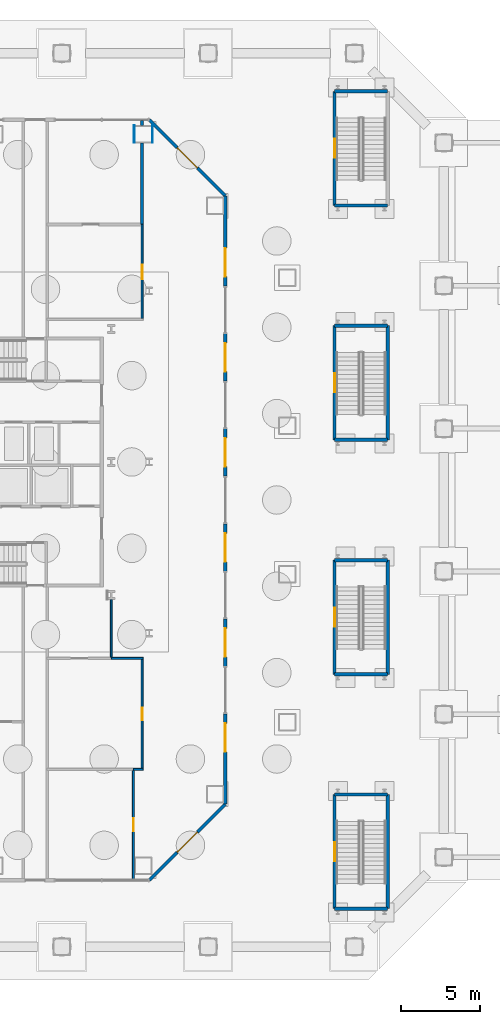
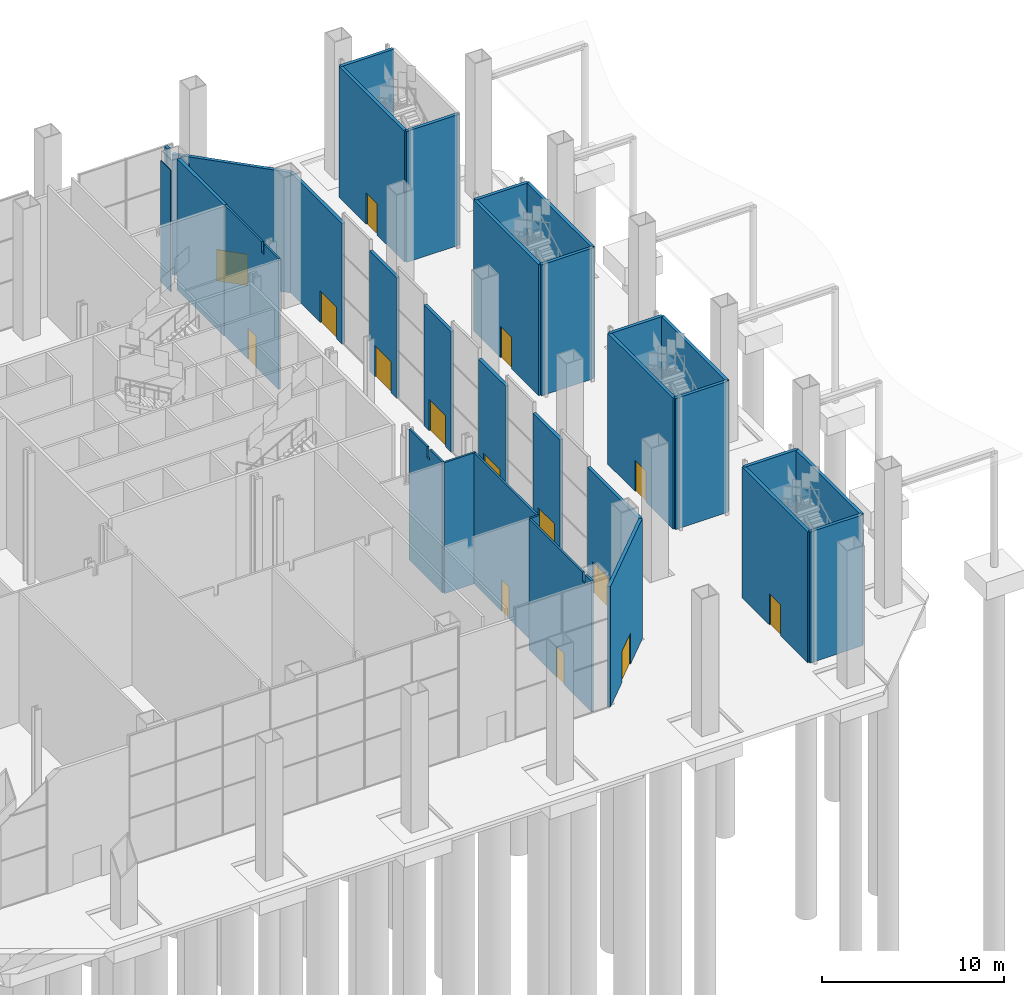
# One storey, part 27 of 38: 33 walls, 15 doors, 15 openings.
"""IFC4 building model written with IfcOpenShell, lengths in metres."""

from ifc_helpers import new_model, si_unit, direction, frame, frame_2d, origin, place, context, subcontext, project, spatial, polyline, rectangle, outline, extrude, material, layer, layer_set, type_object, element, fill, save


model = new_model("IFC4")

# Units and contexts
model_context = context("Model", 3, precision=1e-05, world=origin(), true_north=direction((0.0, 1.0)))
body_context = subcontext(model_context, "Body", "Model", "MODEL_VIEW")
ifc_project = project(units=[si_unit("LENGTHUNIT", "METRE"), si_unit("AREAUNIT", "SQUARE_METRE"), si_unit("VOLUMEUNIT", "CUBIC_METRE"), si_unit("PLANEANGLEUNIT", "RADIAN"), si_unit("MASSUNIT", "GRAM", prefix="KILO")], contexts=[model_context])

# Site, building, storey
site_placement = place(None, origin())
site = spatial("IfcSite", under=ifc_project, at=site_placement, CompositionType="ELEMENT")
building_placement = place(site_placement, origin())
building = spatial("IfcBuilding", under=site, at=building_placement, Name="Cairn Pilgrim Tower", CompositionType="ELEMENT")
storey_placement = place(building_placement, origin())
storey = spatial("IfcBuildingStorey", under=building, at=storey_placement, Name="L00", CompositionType="ELEMENT", Elevation=0.0)

# Wall, opening, door
ifc_material_1 = material(Name="Concrete C35/45 backup wall with bronze aluminium cladding", Category="concrete")
ifc_layer_1 = layer(ifc_material_1, 0.199951171875)
ifc_layer_set_1 = layer_set([ifc_layer_1], Name="ENTRANCE PORTAL WALL 200 BRONZE-CLAD")
wall_type_1 = type_object("IfcWallType", Name="ENTRANCE PORTAL WALL 200 BRONZE-CLAD", PredefinedType="SOLIDWALL", material=ifc_layer_set_1)
wall_1_placement = place(storey_placement, frame((24.0, -19.199951171875, 0.0), z_axis=(0.0, 0.0, 1.0), x_axis=(-0.707106781187, -0.707106781187, 0.0)))
wall_1 = element("IfcWall", 1, at=wall_1_placement, inside=storey, type_object=wall_type_1, Name="ENTRANCE PORTAL 1.1", PredefinedType="SOLIDWALL", context=body_context, shape_type="SweptSolid", body=[
    extrude(rectangle(XDim=6.788330078125, YDim=0.199951171875, at=frame_2d((3.39404296875, 0.0))), origin(), (0.0, 0.0, 1.0), 8.10009765625),
])
opening_1_placement = place(wall_1_placement, frame((2.494140625, 0.0, 0.0)))
opening_1 = element("IfcOpeningElement", 2, at=opening_1_placement, cuts=wall_1, Name="Opening X11", PredefinedType="OPENING", context=body_context, shape_type="SweptSolid", body=[
    extrude(rectangle(XDim=1.800048828125, YDim=2.10009765625, at=frame_2d((0.89990234375, 1.050048828125))), frame((0.0, 0.10986328125, 0.0), z_axis=(0.0, -1.0, 0.0), x_axis=(1.0, 0.0, 0.0)), (0.0, 0.0, 1.0), 0.219970703125),
])
ifc_material_2 = material(Name="Bronze anodised aluminium frame with tinted toughened glass", Category="aluminium")
door_type_1 = type_object("IfcDoorType", Name="PAVILION EXIT DOOR PAIR 1800x2100", OperationType="DOUBLE_DOOR_SINGLE_SWING", PredefinedType="DOOR", material=ifc_material_2)
door_1_placement = place(opening_1_placement, origin())
door_1 = element("IfcDoor", 3, at=door_1_placement, inside=storey, type_object=door_type_1, Name="PAVILION EXIT DOOR", OperationType="SINGLE_SWING_LEFT", OverallHeight=2.10009765625, OverallWidth=1.800048828125, PredefinedType="DOOR", context=body_context, shape_type="SweptSolid", body=[
    extrude(rectangle(XDim=1.800048828125, YDim=2.10009765625, at=frame_2d((0.89990234375, 1.050048828125))), frame((0.0, 0.02490234375, 0.0), z_axis=(0.0, -1.0, 0.0), x_axis=(1.0, 0.0, 0.0)), (0.0, 0.0, 1.0), 0.050048828125),
])
fill(opening_1, door_1)

wall_2_placement = place(storey_placement, frame((24.0, -13.5, 0.0), z_axis=(0.0, 0.0, 1.0), x_axis=(0.0, -1.0, 0.0)))
wall_2 = element("IfcWall", 4, at=wall_2_placement, inside=storey, type_object=wall_type_1, Name="ENTRANCE PORTAL 2.1", PredefinedType="SOLIDWALL", context=body_context, shape_type="SweptSolid", body=[
    extrude(rectangle(XDim=5.699951171875, YDim=0.199951171875, at=frame_2d((2.85009765625, 0.0))), origin(), (0.0, 0.0, 1.0), 8.10009765625),
])
opening_2_placement = place(wall_2_placement, frame((0.60009765625, 0.0, 0.0)))
opening_2 = element("IfcOpeningElement", 5, at=opening_2_placement, cuts=wall_2, Name="Opening X21", PredefinedType="OPENING", context=body_context, shape_type="SweptSolid", body=[
    extrude(rectangle(XDim=1.800048828125, YDim=2.10009765625, at=frame_2d((0.89990234375, 1.050048828125))), frame((0.0, 0.10986328125, 0.0), z_axis=(0.0, -1.0, 0.0), x_axis=(1.0, 0.0, 0.0)), (0.0, 0.0, 1.0), 0.219970703125),
])
door_2_placement = place(opening_2_placement, origin())
door_2 = element("IfcDoor", 6, at=door_2_placement, inside=storey, type_object=door_type_1, Name="PAVILION EXIT DOOR", OperationType="SINGLE_SWING_LEFT", OverallHeight=2.10009765625, OverallWidth=1.800048828125, PredefinedType="DOOR", context=body_context, shape_type="SweptSolid", body=[
    extrude(rectangle(XDim=1.800048828125, YDim=2.10009765625, at=frame_2d((0.89990234375, 1.050048828125))), frame((0.0, 0.02490234375, 0.0), z_axis=(0.0, -1.0, 0.0), x_axis=(1.0, 0.0, 0.0)), (0.0, 0.0, 1.0), 0.050048828125),
])
fill(opening_2, door_2)

wall_3_placement = place(storey_placement, frame((24.0, -7.5, 0.0), z_axis=(0.0, 0.0, 1.0), x_axis=(0.0, -1.0, 0.0)))
wall_3 = element("IfcWall", 7, at=wall_3_placement, inside=storey, type_object=wall_type_1, Name="ENTRANCE PORTAL 2.3", PredefinedType="SOLIDWALL", context=body_context, shape_type="SweptSolid", body=[
    extrude(rectangle(XDim=3.0, YDim=0.199951171875, at=frame_2d((1.5, 0.0))), origin(), (0.0, 0.0, 1.0), 8.10009765625),
])
opening_3_placement = place(wall_3_placement, frame((0.60009765625, 0.0, 0.0)))
opening_3 = element("IfcOpeningElement", 8, at=opening_3_placement, cuts=wall_3, Name="Opening X23", PredefinedType="OPENING", context=body_context, shape_type="SweptSolid", body=[
    extrude(rectangle(XDim=1.800048828125, YDim=2.10009765625, at=frame_2d((0.89990234375, 1.050048828125))), frame((0.0, 0.10986328125, 0.0), z_axis=(0.0, -1.0, 0.0), x_axis=(1.0, 0.0, 0.0)), (0.0, 0.0, 1.0), 0.219970703125),
])
door_3_placement = place(opening_3_placement, origin())
door_3 = element("IfcDoor", 9, at=door_3_placement, inside=storey, type_object=door_type_1, Name="PAVILION EXIT DOOR", OperationType="SINGLE_SWING_LEFT", OverallHeight=2.10009765625, OverallWidth=1.800048828125, PredefinedType="DOOR", context=body_context, shape_type="SweptSolid", body=[
    extrude(rectangle(XDim=1.800048828125, YDim=2.10009765625, at=frame_2d((0.89990234375, 1.050048828125))), frame((0.0, 0.02490234375, 0.0), z_axis=(0.0, -1.0, 0.0), x_axis=(1.0, 0.0, 0.0)), (0.0, 0.0, 1.0), 0.050048828125),
])
fill(opening_3, door_3)

wall_4_placement = place(storey_placement, frame((24.0, -1.5, 0.0), z_axis=(0.0, 0.0, 1.0), x_axis=(0.0, -1.0, 0.0)))
wall_4 = element("IfcWall", 10, at=wall_4_placement, inside=storey, type_object=wall_type_1, Name="ENTRANCE PORTAL 2.5", PredefinedType="SOLIDWALL", context=body_context, shape_type="SweptSolid", body=[
    extrude(rectangle(XDim=3.0, YDim=0.199951171875, at=frame_2d((1.5, 0.0))), origin(), (0.0, 0.0, 1.0), 8.10009765625),
])
opening_4_placement = place(wall_4_placement, frame((0.60009765625, 0.0, 0.0)))
opening_4 = element("IfcOpeningElement", 11, at=opening_4_placement, cuts=wall_4, Name="Opening X25", PredefinedType="OPENING", context=body_context, shape_type="SweptSolid", body=[
    extrude(rectangle(XDim=1.800048828125, YDim=2.10009765625, at=frame_2d((0.89990234375, 1.050048828125))), frame((0.0, 0.10986328125, 0.0), z_axis=(0.0, -1.0, 0.0), x_axis=(1.0, 0.0, 0.0)), (0.0, 0.0, 1.0), 0.219970703125),
])
door_4_placement = place(opening_4_placement, origin())
door_4 = element("IfcDoor", 12, at=door_4_placement, inside=storey, type_object=door_type_1, Name="PAVILION EXIT DOOR", OperationType="SINGLE_SWING_LEFT", OverallHeight=2.10009765625, OverallWidth=1.800048828125, PredefinedType="DOOR", context=body_context, shape_type="SweptSolid", body=[
    extrude(rectangle(XDim=1.800048828125, YDim=2.10009765625, at=frame_2d((0.89990234375, 1.050048828125))), frame((0.0, 0.02490234375, 0.0), z_axis=(0.0, -1.0, 0.0), x_axis=(1.0, 0.0, 0.0)), (0.0, 0.0, 1.0), 0.050048828125),
])
fill(opening_4, door_4)

wall_5_placement = place(storey_placement, frame((24.0, 4.5, 0.0), z_axis=(0.0, 0.0, 1.0), x_axis=(0.0, -1.0, 0.0)))
wall_5 = element("IfcWall", 13, at=wall_5_placement, inside=storey, type_object=wall_type_1, Name="ENTRANCE PORTAL 2.7", PredefinedType="SOLIDWALL", context=body_context, shape_type="SweptSolid", body=[
    extrude(rectangle(XDim=3.0, YDim=0.199951171875, at=frame_2d((1.5, 0.0))), origin(), (0.0, 0.0, 1.0), 8.10009765625),
])
opening_5_placement = place(wall_5_placement, frame((0.60009765625, 0.0, 0.0)))
opening_5 = element("IfcOpeningElement", 14, at=opening_5_placement, cuts=wall_5, Name="Opening X27", PredefinedType="OPENING", context=body_context, shape_type="SweptSolid", body=[
    extrude(rectangle(XDim=1.800048828125, YDim=2.10009765625, at=frame_2d((0.89990234375, 1.050048828125))), frame((0.0, 0.10986328125, 0.0), z_axis=(0.0, -1.0, 0.0), x_axis=(1.0, 0.0, 0.0)), (0.0, 0.0, 1.0), 0.219970703125),
])
door_5_placement = place(opening_5_placement, origin())
door_5 = element("IfcDoor", 15, at=door_5_placement, inside=storey, type_object=door_type_1, Name="PAVILION EXIT DOOR", OperationType="SINGLE_SWING_LEFT", OverallHeight=2.10009765625, OverallWidth=1.800048828125, PredefinedType="DOOR", context=body_context, shape_type="SweptSolid", body=[
    extrude(rectangle(XDim=1.800048828125, YDim=2.10009765625, at=frame_2d((0.89990234375, 1.050048828125))), frame((0.0, 0.02490234375, 0.0), z_axis=(0.0, -1.0, 0.0), x_axis=(1.0, 0.0, 0.0)), (0.0, 0.0, 1.0), 0.050048828125),
])
fill(opening_5, door_5)

wall_6_placement = place(storey_placement, frame((24.0, 10.5, 0.0), z_axis=(0.0, 0.0, 1.0), x_axis=(0.0, -1.0, 0.0)))
wall_6 = element("IfcWall", 16, at=wall_6_placement, inside=storey, type_object=wall_type_1, Name="ENTRANCE PORTAL 2.9", PredefinedType="SOLIDWALL", context=body_context, shape_type="SweptSolid", body=[
    extrude(rectangle(XDim=3.0, YDim=0.199951171875, at=frame_2d((1.5, 0.0))), origin(), (0.0, 0.0, 1.0), 8.10009765625),
])
opening_6_placement = place(wall_6_placement, frame((0.60009765625, 0.0, 0.0)))
opening_6 = element("IfcOpeningElement", 17, at=opening_6_placement, cuts=wall_6, Name="Opening X29", PredefinedType="OPENING", context=body_context, shape_type="SweptSolid", body=[
    extrude(rectangle(XDim=1.800048828125, YDim=2.10009765625, at=frame_2d((0.89990234375, 1.050048828125))), frame((0.0, 0.10986328125, 0.0), z_axis=(0.0, -1.0, 0.0), x_axis=(1.0, 0.0, 0.0)), (0.0, 0.0, 1.0), 0.219970703125),
])
door_6_placement = place(opening_6_placement, origin())
door_6 = element("IfcDoor", 18, at=door_6_placement, inside=storey, type_object=door_type_1, Name="PAVILION EXIT DOOR", OperationType="SINGLE_SWING_LEFT", OverallHeight=2.10009765625, OverallWidth=1.800048828125, PredefinedType="DOOR", context=body_context, shape_type="SweptSolid", body=[
    extrude(rectangle(XDim=1.800048828125, YDim=2.10009765625, at=frame_2d((0.89990234375, 1.050048828125))), frame((0.0, 0.02490234375, 0.0), z_axis=(0.0, -1.0, 0.0), x_axis=(1.0, 0.0, 0.0)), (0.0, 0.0, 1.0), 0.050048828125),
])
fill(opening_6, door_6)

wall_7_placement = place(storey_placement, frame((24.0, 19.199951171875, 0.0), z_axis=(0.0, 0.0, 1.0), x_axis=(0.0, -1.0, 0.0)))
wall_7 = element("IfcWall", 19, at=wall_7_placement, inside=storey, type_object=wall_type_1, Name="ENTRANCE PORTAL 2.11", PredefinedType="SOLIDWALL", context=body_context, shape_type="SweptSolid", body=[
    extrude(rectangle(XDim=5.699951171875, YDim=0.199951171875, at=frame_2d((2.85009765625, 0.0))), origin(), (0.0, 0.0, 1.0), 8.10009765625),
])
opening_7_placement = place(wall_7_placement, frame((3.300048828125, 0.0, 0.0)))
opening_7 = element("IfcOpeningElement", 20, at=opening_7_placement, cuts=wall_7, Name="Opening X211", PredefinedType="OPENING", context=body_context, shape_type="SweptSolid", body=[
    extrude(rectangle(XDim=1.800048828125, YDim=2.10009765625, at=frame_2d((0.89990234375, 1.050048828125))), frame((0.0, 0.10986328125, 0.0), z_axis=(0.0, -1.0, 0.0), x_axis=(1.0, 0.0, 0.0)), (0.0, 0.0, 1.0), 0.219970703125),
])
door_7_placement = place(opening_7_placement, origin())
door_7 = element("IfcDoor", 21, at=door_7_placement, inside=storey, type_object=door_type_1, Name="PAVILION EXIT DOOR", OperationType="SINGLE_SWING_LEFT", OverallHeight=2.10009765625, OverallWidth=1.800048828125, PredefinedType="DOOR", context=body_context, shape_type="SweptSolid", body=[
    extrude(rectangle(XDim=1.800048828125, YDim=2.10009765625, at=frame_2d((0.89990234375, 1.050048828125))), frame((0.0, 0.02490234375, 0.0), z_axis=(0.0, -1.0, 0.0), x_axis=(1.0, 0.0, 0.0)), (0.0, 0.0, 1.0), 0.050048828125),
])
fill(opening_7, door_7)

wall_8_placement = place(storey_placement, frame((19.199951171875, 24.0, 0.0), z_axis=(0.0, 0.0, 1.0), x_axis=(0.707106781187, -0.707106781187, 0.0)))
wall_8 = element("IfcWall", 22, at=wall_8_placement, inside=storey, type_object=wall_type_1, Name="ENTRANCE PORTAL 3.1", PredefinedType="SOLIDWALL", context=body_context, shape_type="SweptSolid", body=[
    extrude(rectangle(XDim=6.788330078125, YDim=0.199951171875, at=frame_2d((3.39404296875, 0.0))), origin(), (0.0, 0.0, 1.0), 8.10009765625),
])
opening_8_placement = place(wall_8_placement, frame((2.494140625, 0.0, 0.0)))
opening_8 = element("IfcOpeningElement", 23, at=opening_8_placement, cuts=wall_8, Name="Opening X31", PredefinedType="OPENING", context=body_context, shape_type="SweptSolid", body=[
    extrude(rectangle(XDim=1.800048828125, YDim=2.10009765625, at=frame_2d((0.89990234375, 1.050048828125))), frame((0.0, 0.10986328125, 0.0), z_axis=(0.0, -1.0, 0.0), x_axis=(1.0, 0.0, 0.0)), (0.0, 0.0, 1.0), 0.219970703125),
])
door_8_placement = place(opening_8_placement, origin())
door_8 = element("IfcDoor", 24, at=door_8_placement, inside=storey, type_object=door_type_1, Name="PAVILION EXIT DOOR", OperationType="SINGLE_SWING_LEFT", OverallHeight=2.10009765625, OverallWidth=1.800048828125, PredefinedType="DOOR", context=body_context, shape_type="SweptSolid", body=[
    extrude(rectangle(XDim=1.800048828125, YDim=2.10009765625, at=frame_2d((0.89990234375, 1.050048828125))), frame((0.0, 0.02490234375, 0.0), z_axis=(0.0, -1.0, 0.0), x_axis=(1.0, 0.0, 0.0)), (0.0, 0.0, 1.0), 0.050048828125),
])
fill(opening_8, door_8)

ifc_material_3 = material(Name="Gypsum partition")
ifc_layer_2 = layer(ifc_material_3, 0.125)
ifc_layer_set_2 = layer_set([ifc_layer_2], Name="PARTITION 125 DRYWALL EI 60")
wall_type_2 = type_object("IfcWallType", Name="PARTITION 125 DRYWALL EI 60", PredefinedType="PARTITIONING", material=ifc_layer_set_2)
wall_9_placement = place(storey_placement, frame((18.199951171875, -23.9560546875, 0.0), z_axis=(0.0, 0.0, 1.0), x_axis=(0.0, 1.0, 0.0)))
wall_9 = element("IfcWall", 25, at=wall_9_placement, inside=storey, type_object=wall_type_2, Name="PARTITION W003", PredefinedType="PARTITIONING", context=body_context, shape_type="SweptSolid", body=[
    extrude(outline(polyline([(0.0, 0.0), (6.8935546875, 0.0), (6.8935546875, 8.800048828125), (1.006103515625, 8.800048828125), (1.00390625, 8.179931640625), (0.7060546875, 8.179931640625), (0.7041015625, 8.800048828125), (0.0, 8.800048828125), (0.0, 0.0)])), frame((0.0, 0.0625, 0.0), z_axis=(0.0, -1.0, 0.0), x_axis=(1.0, 0.0, 0.0)), (0.0, 0.0, 1.0), 0.125),
])
opening_9_placement = place(wall_9_placement, frame((3.055908203125, 0.0, 0.0)))
opening_9 = element("IfcOpeningElement", 26, at=opening_9_placement, cuts=wall_9, Name="Opening 0003", PredefinedType="OPENING", context=body_context, shape_type="SweptSolid", body=[
    extrude(rectangle(XDim=0.800048828125, YDim=2.10009765625, at=frame_2d((0.39990234375, 1.050048828125))), frame((0.0, 0.072509765625, 0.0), z_axis=(0.0, -1.0, 0.0), x_axis=(1.0, 0.0, 0.0)), (0.0, 0.0, 1.0), 0.14501953125),
])
ifc_material_4 = material(Name="Timber door leaf", Category="wood")
door_type_2 = type_object("IfcDoorType", Name="WC DOOR 800x2100 FD30S", OperationType="NOTDEFINED", PredefinedType="DOOR", material=ifc_material_4)
door_9_placement = place(opening_9_placement, origin())
door_9 = element("IfcDoor", 27, at=door_9_placement, inside=storey, type_object=door_type_2, Name="DOOR 0003", OperationType="SINGLE_SWING_RIGHT", OverallHeight=2.10009765625, OverallWidth=0.800048828125, PredefinedType="DOOR", context=body_context, shape_type="SweptSolid", body=[
    extrude(rectangle(XDim=0.800048828125, YDim=2.10009765625, at=frame_2d((0.39990234375, 1.050048828125))), frame((0.0, 0.02490234375, 0.0), z_axis=(0.0, -1.0, 0.0), x_axis=(1.0, 0.0, 0.0)), (0.0, 0.0, 1.0), 0.050048828125),
])
fill(opening_9, door_9)

# Wall
wall_10_placement = place(storey_placement, frame((18.199951171875, -17.0, 0.0), z_axis=(0.0, 0.0, 1.0), x_axis=(1.0, 0.0, 0.0)))
element("IfcWall", 28, at=wall_10_placement, inside=storey, type_object=wall_type_2, Name="PARTITION W008", PredefinedType="PARTITIONING", context=body_context, shape_type="SweptSolid", body=[
    extrude(rectangle(XDim=0.612548828125, YDim=0.125, at=frame_2d((0.30615234375, 0.0))), origin(), (0.0, 0.0, 1.0), 8.800048828125),
])

# Wall, opening, door
wall_11_placement = place(storey_placement, frame((18.75, -16.9375, 0.0), z_axis=(0.0, 0.0, 1.0), x_axis=(0.0, 1.0, 0.0)))
wall_11 = element("IfcWall", 29, at=wall_11_placement, inside=storey, type_object=wall_type_2, Name="PARTITION W009", PredefinedType="PARTITIONING", context=body_context, shape_type="SweptSolid", body=[
    extrude(rectangle(XDim=6.875, YDim=0.125, at=frame_2d((3.4375, 0.0))), origin(), (0.0, 0.0, 1.0), 8.800048828125),
])
opening_10_placement = place(wall_11_placement, frame((3.03759765625, 0.0, 0.0)))
opening_10 = element("IfcOpeningElement", 30, at=opening_10_placement, cuts=wall_11, Name="Opening 0004", PredefinedType="OPENING", context=body_context, shape_type="SweptSolid", body=[
    extrude(rectangle(XDim=0.800048828125, YDim=2.10009765625, at=frame_2d((0.39990234375, 1.050048828125))), frame((0.0, 0.072509765625, 0.0), z_axis=(0.0, -1.0, 0.0), x_axis=(1.0, 0.0, 0.0)), (0.0, 0.0, 1.0), 0.14501953125),
])
door_10_placement = place(opening_10_placement, origin())
door_10 = element("IfcDoor", 31, at=door_10_placement, inside=storey, type_object=door_type_2, Name="DOOR 0004", OperationType="SINGLE_SWING_LEFT", OverallHeight=2.10009765625, OverallWidth=0.800048828125, PredefinedType="DOOR", context=body_context, shape_type="SweptSolid", body=[
    extrude(rectangle(XDim=0.800048828125, YDim=2.10009765625, at=frame_2d((0.39990234375, 1.050048828125))), frame((0.0, 0.02490234375, 0.0), z_axis=(0.0, -1.0, 0.0), x_axis=(1.0, 0.0, 0.0)), (0.0, 0.0, 1.0), 0.050048828125),
])
fill(opening_10, door_10)

# Walls
wall_12_placement = place(storey_placement, frame((16.800048828125, -10.0, 0.0), z_axis=(0.0, 0.0, 1.0), x_axis=(1.0, 0.0, 0.0)))
element("IfcWall", 32, at=wall_12_placement, inside=storey, type_object=wall_type_2, Name="PARTITION W012", PredefinedType="PARTITIONING", context=body_context, shape_type="SweptSolid", body=[
    extrude(rectangle(XDim=2.012451171875, YDim=0.125, at=frame_2d((1.00634765625, 0.0))), origin(), (0.0, 0.0, 1.0), 8.800048828125),
])
wall_13_placement = place(storey_placement, frame((16.800048828125, -9.9375, 0.0), z_axis=(0.0, 0.0, 1.0), x_axis=(0.0, 1.0, 0.0)))
element("IfcWall", 33, at=wall_13_placement, inside=storey, type_object=wall_type_2, Name="PARTITION W013", PredefinedType="PARTITIONING", context=body_context, shape_type="SweptSolid", body=[
    extrude(outline(polyline([(0.0, 0.0), (3.653076171875, 0.0), (3.653076171875, 8.800048828125), (1.6875, 8.800048828125), (1.685546875, 8.080078125), (1.387451171875, 8.080078125), (1.385498046875, 8.800048828125), (0.0, 8.800048828125), (0.0, 0.0)])), frame((0.0, 0.0625, 0.0), z_axis=(0.0, -1.0, 0.0), x_axis=(1.0, 0.0, 0.0)), (0.0, 0.0, 1.0), 0.125),
])

# Wall, opening, door
wall_14_placement = place(storey_placement, frame((18.75, 11.46240234375, 0.0), z_axis=(0.0, 0.0, 1.0), x_axis=(0.0, 1.0, 0.0)))
wall_14 = element("IfcWall", 34, at=wall_14_placement, inside=storey, type_object=wall_type_2, Name="PARTITION W021", PredefinedType="PARTITIONING", context=body_context, shape_type="SweptSolid", body=[
    extrude(outline(polyline([(0.0, 0.0), (5.9375, 0.0), (5.9375, 8.800048828125), (1.887451171875, 8.800048828125), (1.885498046875, 8.080078125), (1.58740234375, 8.080078125), (1.58544921875, 8.800048828125), (0.0, 8.800048828125), (0.0, 0.0)])), frame((0.0, 0.0625, 0.0), z_axis=(0.0, -1.0, 0.0), x_axis=(1.0, 0.0, 0.0)), (0.0, 0.0, 1.0), 0.125),
])
opening_11_placement = place(wall_14_placement, frame((2.487548828125, 0.0, 0.0)))
opening_11 = element("IfcOpeningElement", 35, at=opening_11_placement, cuts=wall_14, Name="Opening 0002", PredefinedType="OPENING", context=body_context, shape_type="SweptSolid", body=[
    extrude(rectangle(XDim=0.89990234375, YDim=2.10009765625, at=frame_2d((0.449951171875, 1.050048828125))), frame((0.0, 0.072509765625, 0.0), z_axis=(0.0, -1.0, 0.0), x_axis=(1.0, 0.0, 0.0)), (0.0, 0.0, 1.0), 0.14501953125),
])
door_type_3 = type_object("IfcDoorType", Name="ROOM DOOR 900x2100 FD30S", OperationType="NOTDEFINED", PredefinedType="DOOR", material=ifc_material_4)
door_11_placement = place(opening_11_placement, frame((0.89990234375, 0.0, 0.0), z_axis=(0.0, 0.0, 1.0), x_axis=(-1.0, 0.0, 0.0)))
door_11 = element("IfcDoor", 36, at=door_11_placement, inside=storey, type_object=door_type_3, Name="DOOR 0002", OperationType="SINGLE_SWING_RIGHT", OverallHeight=2.10009765625, OverallWidth=0.89990234375, PredefinedType="DOOR", context=body_context, shape_type="SweptSolid", body=[
    extrude(rectangle(XDim=0.89990234375, YDim=2.10009765625, at=frame_2d((0.449951171875, 1.050048828125))), frame((0.0, 0.02490234375, 0.0), z_axis=(0.0, -1.0, 0.0), x_axis=(1.0, 0.0, 0.0)), (0.0, 0.0, 1.0), 0.050048828125),
])
fill(opening_11, door_11)

# Walls
ifc_layer_3 = layer(ifc_material_3, 0.050048828125)
ifc_layer_set_3 = layer_set([ifc_layer_3], Name="PARTITION 50 DRYWALL EI 120")
wall_type_3 = type_object("IfcWallType", Name="PARTITION 50 DRYWALL EI 120", PredefinedType="PARTITIONING", material=ifc_layer_set_3)
for number, where, z_axis, x_axis, name in (
    (37, (18.252197265625, 22.550048828125, 0.0), (0.0, 0.0, 1.0), (0.0, 1.0, 0.0), "COLUMN CASING WC06"),
    (38, (19.402099609375, 22.550048828125, 0.0), (0.0, 0.0, 1.0), (0.0, 1.0, 0.0), "COLUMN CASING WC07"),
):
    element("IfcWall", number, at=place(storey_placement, frame(where, z_axis=z_axis, x_axis=x_axis)), inside=storey, type_object=wall_type_3, Name=name, PredefinedType="PARTITIONING", context=body_context, shape_type="SweptSolid", body=[
        extrude(rectangle(XDim=1.099853515625, YDim=0.050048828125, at=frame_2d((0.5498046875, 0.0))), origin(), (0.0, 0.0, 1.0), 8.179931640625),
    ])

# Wall, opening, door
ifc_material_5 = material(Name="Concrete C35/45", Category="concrete")
ifc_layer_4 = layer(ifc_material_5, 0.199951171875)
ifc_layer_set_4 = layer_set([ifc_layer_4], Name="PODIUM STAIR WALL 200 EI 120")
wall_type_4 = type_object("IfcWallType", Name="PODIUM STAIR WALL 200 EI 120", PredefinedType="SOLIDWALL", material=ifc_layer_set_4)
wall_15_placement = place(storey_placement, frame((30.89990234375, -25.800048828125, 0.0), z_axis=(0.0, 0.0, 1.0), x_axis=(0.0, 1.0, 0.0)))
wall_15 = element("IfcWall", 39, at=wall_15_placement, inside=storey, type_object=wall_type_4, Name="ES1 STAIR WALL W", PredefinedType="SOLIDWALL", context=body_context, shape_type="SweptSolid", body=[
    extrude(rectangle(XDim=7.199951171875, YDim=0.199951171875, at=frame_2d((3.60009765625, 0.0))), origin(), (0.0, 0.0, 1.0), 8.800048828125),
])
opening_12_placement = place(wall_15_placement, frame((3.0, 0.0, 0.0)))
opening_12 = element("IfcOpeningElement", 40, at=opening_12_placement, cuts=wall_15, Name="Opening X-ES1", PredefinedType="OPENING", context=body_context, shape_type="SweptSolid", body=[
    extrude(rectangle(XDim=1.199951171875, YDim=2.10009765625, at=frame_2d((0.60009765625, 1.050048828125))), frame((0.0, 0.10986328125, 0.0), z_axis=(0.0, -1.0, 0.0), x_axis=(1.0, 0.0, 0.0)), (0.0, 0.0, 1.0), 0.219970703125),
])
ifc_material_6 = material(Name="Painted steel", Category="steel")
door_type_4 = type_object("IfcDoorType", Name="PODIUM EXIT DOOR 1200x2100 FD60S", OperationType="SINGLE_SWING_LEFT", PredefinedType="DOOR", material=ifc_material_6)
door_12_placement = place(opening_12_placement, origin())
door_12 = element("IfcDoor", 41, at=door_12_placement, inside=storey, type_object=door_type_4, Name="X-ES1 STAIR EXIT DOOR", OperationType="SINGLE_SWING_LEFT", OverallHeight=2.10009765625, OverallWidth=1.199951171875, PredefinedType="DOOR", context=body_context, shape_type="SweptSolid", body=[
    extrude(rectangle(XDim=1.199951171875, YDim=2.10009765625, at=frame_2d((0.60009765625, 1.050048828125))), frame((0.0, 0.02490234375, 0.0), z_axis=(0.0, -1.0, 0.0), x_axis=(1.0, 0.0, 0.0)), (0.0, 0.0, 1.0), 0.050048828125),
])
fill(opening_12, door_12)

# Walls
wall_16_placement = place(storey_placement, frame((30.89990234375, -18.60009765625, 0.0), z_axis=(0.0, 0.0, 1.0), x_axis=(1.0, 0.0, 0.0)))
element("IfcWall", 42, at=wall_16_placement, inside=storey, type_object=wall_type_4, Name="ES1 STAIR WALL N", PredefinedType="SOLIDWALL", context=body_context, shape_type="SweptSolid", body=[
    extrude(rectangle(XDim=3.35009765625, YDim=0.199951171875, at=frame_2d((1.675048828125, 0.0))), origin(), (0.0, 0.0, 1.0), 8.800048828125),
])
wall_17_placement = place(storey_placement, frame((34.25, -18.60009765625, 0.0), z_axis=(0.0, 0.0, 1.0), x_axis=(0.0, -1.0, 0.0)))
element("IfcWall", 43, at=wall_17_placement, inside=storey, type_object=wall_type_4, Name="ES1 STAIR WALL E", PredefinedType="SOLIDWALL", context=body_context, shape_type="SweptSolid", body=[
    extrude(rectangle(XDim=7.199951171875, YDim=0.199951171875, at=frame_2d((3.60009765625, 0.0))), origin(), (0.0, 0.0, 1.0), 8.800048828125),
])
wall_18_placement = place(storey_placement, frame((34.25, -25.800048828125, 0.0), z_axis=(0.0, 0.0, 1.0), x_axis=(-1.0, 0.0, 0.0)))
element("IfcWall", 44, at=wall_18_placement, inside=storey, type_object=wall_type_4, Name="ES1 STAIR WALL S", PredefinedType="SOLIDWALL", context=body_context, shape_type="SweptSolid", body=[
    extrude(rectangle(XDim=3.35009765625, YDim=0.199951171875, at=frame_2d((1.675048828125, 0.0))), origin(), (0.0, 0.0, 1.0), 8.800048828125),
])

# Wall, opening, door
wall_19_placement = place(storey_placement, frame((30.89990234375, -11.0, 0.0), z_axis=(0.0, 0.0, 1.0), x_axis=(0.0, 1.0, 0.0)))
wall_19 = element("IfcWall", 45, at=wall_19_placement, inside=storey, type_object=wall_type_4, Name="ES2 STAIR WALL W", PredefinedType="SOLIDWALL", context=body_context, shape_type="SweptSolid", body=[
    extrude(rectangle(XDim=7.199951171875, YDim=0.199951171875, at=frame_2d((3.60009765625, 0.0))), origin(), (0.0, 0.0, 1.0), 8.800048828125),
])
opening_13_placement = place(wall_19_placement, frame((3.0, 0.0, 0.0)))
opening_13 = element("IfcOpeningElement", 46, at=opening_13_placement, cuts=wall_19, Name="Opening X-ES2", PredefinedType="OPENING", context=body_context, shape_type="SweptSolid", body=[
    extrude(rectangle(XDim=1.199951171875, YDim=2.10009765625, at=frame_2d((0.60009765625, 1.050048828125))), frame((0.0, 0.10986328125, 0.0), z_axis=(0.0, -1.0, 0.0), x_axis=(1.0, 0.0, 0.0)), (0.0, 0.0, 1.0), 0.219970703125),
])
door_13_placement = place(opening_13_placement, origin())
door_13 = element("IfcDoor", 47, at=door_13_placement, inside=storey, type_object=door_type_4, Name="X-ES2 STAIR EXIT DOOR", OperationType="SINGLE_SWING_LEFT", OverallHeight=2.10009765625, OverallWidth=1.199951171875, PredefinedType="DOOR", context=body_context, shape_type="SweptSolid", body=[
    extrude(rectangle(XDim=1.199951171875, YDim=2.10009765625, at=frame_2d((0.60009765625, 1.050048828125))), frame((0.0, 0.02490234375, 0.0), z_axis=(0.0, -1.0, 0.0), x_axis=(1.0, 0.0, 0.0)), (0.0, 0.0, 1.0), 0.050048828125),
])
fill(opening_13, door_13)

# Walls
wall_20_placement = place(storey_placement, frame((30.89990234375, -3.800048828125, 0.0), z_axis=(0.0, 0.0, 1.0), x_axis=(1.0, 0.0, 0.0)))
element("IfcWall", 48, at=wall_20_placement, inside=storey, type_object=wall_type_4, Name="ES2 STAIR WALL N", PredefinedType="SOLIDWALL", context=body_context, shape_type="SweptSolid", body=[
    extrude(rectangle(XDim=3.35009765625, YDim=0.199951171875, at=frame_2d((1.675048828125, 0.0))), origin(), (0.0, 0.0, 1.0), 8.800048828125),
])
wall_21_placement = place(storey_placement, frame((34.25, -3.800048828125, 0.0), z_axis=(0.0, 0.0, 1.0), x_axis=(0.0, -1.0, 0.0)))
element("IfcWall", 49, at=wall_21_placement, inside=storey, type_object=wall_type_4, Name="ES2 STAIR WALL E", PredefinedType="SOLIDWALL", context=body_context, shape_type="SweptSolid", body=[
    extrude(rectangle(XDim=7.199951171875, YDim=0.199951171875, at=frame_2d((3.60009765625, 0.0))), origin(), (0.0, 0.0, 1.0), 8.800048828125),
])
wall_22_placement = place(storey_placement, frame((34.25, -11.0, 0.0), z_axis=(0.0, 0.0, 1.0), x_axis=(-1.0, 0.0, 0.0)))
element("IfcWall", 50, at=wall_22_placement, inside=storey, type_object=wall_type_4, Name="ES2 STAIR WALL S", PredefinedType="SOLIDWALL", context=body_context, shape_type="SweptSolid", body=[
    extrude(rectangle(XDim=3.35009765625, YDim=0.199951171875, at=frame_2d((1.675048828125, 0.0))), origin(), (0.0, 0.0, 1.0), 8.800048828125),
])

# Wall, opening, door
wall_23_placement = place(storey_placement, frame((30.89990234375, 3.800048828125, 0.0), z_axis=(0.0, 0.0, 1.0), x_axis=(0.0, 1.0, 0.0)))
wall_23 = element("IfcWall", 51, at=wall_23_placement, inside=storey, type_object=wall_type_4, Name="ES3 STAIR WALL W", PredefinedType="SOLIDWALL", context=body_context, shape_type="SweptSolid", body=[
    extrude(rectangle(XDim=7.199951171875, YDim=0.199951171875, at=frame_2d((3.60009765625, 0.0))), origin(), (0.0, 0.0, 1.0), 8.800048828125),
])
opening_14_placement = place(wall_23_placement, frame((3.0, 0.0, 0.0)))
opening_14 = element("IfcOpeningElement", 52, at=opening_14_placement, cuts=wall_23, Name="Opening X-ES3", PredefinedType="OPENING", context=body_context, shape_type="SweptSolid", body=[
    extrude(rectangle(XDim=1.199951171875, YDim=2.10009765625, at=frame_2d((0.60009765625, 1.050048828125))), frame((0.0, 0.10986328125, 0.0), z_axis=(0.0, -1.0, 0.0), x_axis=(1.0, 0.0, 0.0)), (0.0, 0.0, 1.0), 0.219970703125),
])
door_14_placement = place(opening_14_placement, origin())
door_14 = element("IfcDoor", 53, at=door_14_placement, inside=storey, type_object=door_type_4, Name="X-ES3 STAIR EXIT DOOR", OperationType="SINGLE_SWING_LEFT", OverallHeight=2.10009765625, OverallWidth=1.199951171875, PredefinedType="DOOR", context=body_context, shape_type="SweptSolid", body=[
    extrude(rectangle(XDim=1.199951171875, YDim=2.10009765625, at=frame_2d((0.60009765625, 1.050048828125))), frame((0.0, 0.02490234375, 0.0), z_axis=(0.0, -1.0, 0.0), x_axis=(1.0, 0.0, 0.0)), (0.0, 0.0, 1.0), 0.050048828125),
])
fill(opening_14, door_14)

# Walls
wall_24_placement = place(storey_placement, frame((30.89990234375, 11.0, 0.0), z_axis=(0.0, 0.0, 1.0), x_axis=(1.0, 0.0, 0.0)))
element("IfcWall", 54, at=wall_24_placement, inside=storey, type_object=wall_type_4, Name="ES3 STAIR WALL N", PredefinedType="SOLIDWALL", context=body_context, shape_type="SweptSolid", body=[
    extrude(rectangle(XDim=3.35009765625, YDim=0.199951171875, at=frame_2d((1.675048828125, 0.0))), origin(), (0.0, 0.0, 1.0), 8.800048828125),
])
wall_25_placement = place(storey_placement, frame((34.25, 11.0, 0.0), z_axis=(0.0, 0.0, 1.0), x_axis=(0.0, -1.0, 0.0)))
element("IfcWall", 55, at=wall_25_placement, inside=storey, type_object=wall_type_4, Name="ES3 STAIR WALL E", PredefinedType="SOLIDWALL", context=body_context, shape_type="SweptSolid", body=[
    extrude(rectangle(XDim=7.199951171875, YDim=0.199951171875, at=frame_2d((3.60009765625, 0.0))), origin(), (0.0, 0.0, 1.0), 8.800048828125),
])
wall_26_placement = place(storey_placement, frame((34.25, 3.800048828125, 0.0), z_axis=(0.0, 0.0, 1.0), x_axis=(-1.0, 0.0, 0.0)))
element("IfcWall", 56, at=wall_26_placement, inside=storey, type_object=wall_type_4, Name="ES3 STAIR WALL S", PredefinedType="SOLIDWALL", context=body_context, shape_type="SweptSolid", body=[
    extrude(rectangle(XDim=3.35009765625, YDim=0.199951171875, at=frame_2d((1.675048828125, 0.0))), origin(), (0.0, 0.0, 1.0), 8.800048828125),
])

# Wall, opening, door
wall_27_placement = place(storey_placement, frame((30.89990234375, 18.60009765625, 0.0), z_axis=(0.0, 0.0, 1.0), x_axis=(0.0, 1.0, 0.0)))
wall_27 = element("IfcWall", 57, at=wall_27_placement, inside=storey, type_object=wall_type_4, Name="ES4 STAIR WALL W", PredefinedType="SOLIDWALL", context=body_context, shape_type="SweptSolid", body=[
    extrude(rectangle(XDim=7.199951171875, YDim=0.199951171875, at=frame_2d((3.60009765625, 0.0))), origin(), (0.0, 0.0, 1.0), 8.800048828125),
])
opening_15_placement = place(wall_27_placement, frame((3.0, 0.0, 0.0)))
opening_15 = element("IfcOpeningElement", 58, at=opening_15_placement, cuts=wall_27, Name="Opening X-ES4", PredefinedType="OPENING", context=body_context, shape_type="SweptSolid", body=[
    extrude(rectangle(XDim=1.199951171875, YDim=2.10009765625, at=frame_2d((0.60009765625, 1.050048828125))), frame((0.0, 0.10986328125, 0.0), z_axis=(0.0, -1.0, 0.0), x_axis=(1.0, 0.0, 0.0)), (0.0, 0.0, 1.0), 0.219970703125),
])
door_15_placement = place(opening_15_placement, origin())
door_15 = element("IfcDoor", 59, at=door_15_placement, inside=storey, type_object=door_type_4, Name="X-ES4 STAIR EXIT DOOR", OperationType="SINGLE_SWING_LEFT", OverallHeight=2.10009765625, OverallWidth=1.199951171875, PredefinedType="DOOR", context=body_context, shape_type="SweptSolid", body=[
    extrude(rectangle(XDim=1.199951171875, YDim=2.10009765625, at=frame_2d((0.60009765625, 1.050048828125))), frame((0.0, 0.02490234375, 0.0), z_axis=(0.0, -1.0, 0.0), x_axis=(1.0, 0.0, 0.0)), (0.0, 0.0, 1.0), 0.050048828125),
])
fill(opening_15, door_15)

# Walls
for number, where, z_axis, x_axis, name in (
    (60, (30.89990234375, 25.800048828125, 0.0), (0.0, 0.0, 1.0), (1.0, 0.0, 0.0), "ES4 STAIR WALL N"),
    (61, (34.25, 18.60009765625, 0.0), (0.0, 0.0, 1.0), (-1.0, 0.0, 0.0), "ES4 STAIR WALL S"),
):
    element("IfcWall", number, at=place(storey_placement, frame(where, z_axis=z_axis, x_axis=x_axis)), inside=storey, type_object=wall_type_4, Name=name, PredefinedType="SOLIDWALL", context=body_context, shape_type="SweptSolid", body=[
        extrude(rectangle(XDim=3.35009765625, YDim=0.199951171875, at=frame_2d((1.675048828125, 0.0))), origin(), (0.0, 0.0, 1.0), 8.800048828125),
    ])
ifc_layer_5 = layer(ifc_material_3, 0.199951171875)
ifc_layer_set_5 = layer_set([ifc_layer_5], Name="SHAFT WALL 200 GYPSUM EI 120")
wall_type_5 = type_object("IfcWallType", Name="SHAFT WALL 200 GYPSUM EI 120", PredefinedType="PARTITIONING", material=ifc_layer_set_5)
wall_28_placement = place(storey_placement, frame((18.75, 17.39990234375, 0.0), z_axis=(0.0, 0.0, 1.0), x_axis=(0.0, 1.0, 0.0)))
element("IfcWall", 62, at=wall_28_placement, inside=storey, type_object=wall_type_5, Name="PARTITION W025", PredefinedType="PARTITIONING", context=body_context, shape_type="SweptSolid", body=[
    extrude(rectangle(XDim=5.150146484375, YDim=0.199951171875, at=frame_2d((2.5751953125, 0.0))), origin(), (0.0, 0.0, 1.0), 8.800048828125),
])
wall_29_placement = place(storey_placement, frame((18.75, 23.64990234375, 0.0), z_axis=(0.0, 0.0, 1.0), x_axis=(0.0, 1.0, 0.0)))
element("IfcWall", 63, at=wall_29_placement, inside=storey, type_object=wall_type_5, Name="PARTITION W027", PredefinedType="PARTITIONING", context=body_context, shape_type="SweptSolid", body=[
    extrude(rectangle(XDim=0.30615234375, YDim=0.199951171875, at=frame_2d((0.153076171875, 0.0))), origin(), (0.0, 0.0, 1.0), 8.800048828125),
])

save(model, "model.ifc")
